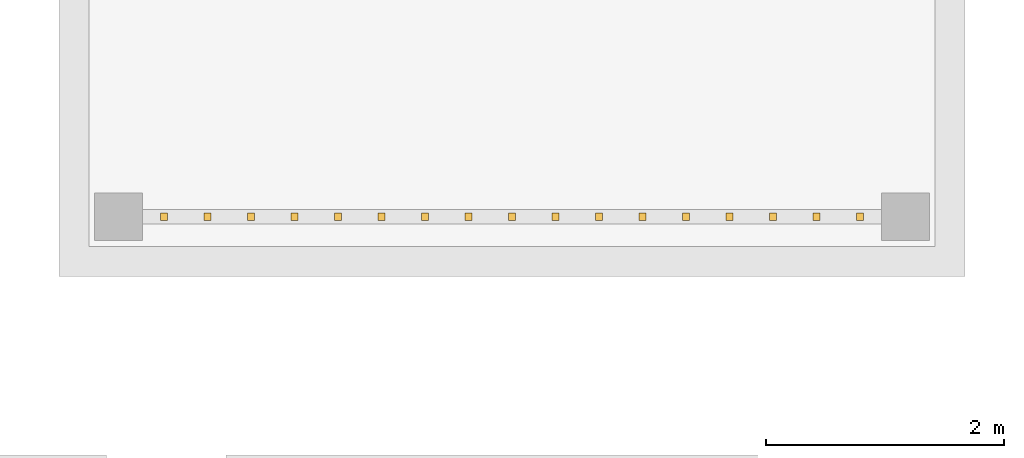
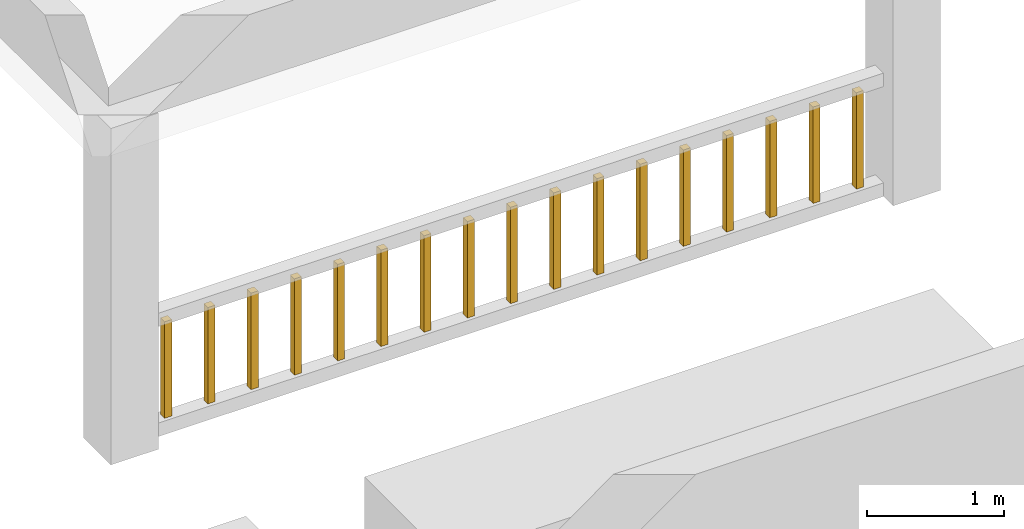
# One storey, part 13 of 14: 17 shading devices.
"""IFC4 building model written with IfcOpenShell, lengths in metres."""

from ifc_helpers import new_model, si_unit, direction, frame, origin, origin_2d, place, context, subcontext, project, spatial, rectangle, extrude, material, type_object, element, save


model = new_model("IFC4")

# Units and contexts
model_context = context("Model", 3, precision=1e-05, world=origin(), true_north=direction((0.0, 1.0)))
body_context = subcontext(model_context, "Body", "Model", "MODEL_VIEW")
ifc_project = project(units=[si_unit("LENGTHUNIT", "METRE"), si_unit("AREAUNIT", "SQUARE_METRE"), si_unit("VOLUMEUNIT", "CUBIC_METRE"), si_unit("PLANEANGLEUNIT", "RADIAN"), si_unit("MASSUNIT", "GRAM", prefix="KILO")], contexts=[model_context])

# Site, building, storey
site_placement = place(None, origin())
site = spatial("IfcSite", under=ifc_project, at=site_placement, CompositionType="ELEMENT")
building_placement = place(site_placement, origin())
building = spatial("IfcBuilding", under=site, at=building_placement, Name="Kiln Ring Residences", CompositionType="ELEMENT")
storey_placement = place(building_placement, frame((0.0, 0.0, 299.89990234375)))
storey = spatial("IfcBuildingStorey", under=building, at=storey_placement, Name="L77 Crown", CompositionType="ELEMENT", Elevation=299.89990234375)

# Shading devices
ifc_material = material(Name="Brick masonry, dark clay brick", Category="masonry")
shading_device_type = type_object("IfcShadingDeviceType", Name="JAALI SLAT 60", PredefinedType="USERDEFINED", material=ifc_material)
for number, where, z_axis, x_axis, name in (
    (1, (-2.917724609375, -15.800048828125, 0.1201171875), (0.0, 0.0, 1.0), (1.0, 0.0, 0.0), "JAALI SLAT L77 Crown"),
    (2, (-2.552978515625, -15.800048828125, 0.1201171875), (0.0, 0.0, 1.0), (1.0, 0.0, 0.0), "JAALI SLAT L77 Crown"),
    (3, (-2.188232421875, -15.800048828125, 0.1201171875), (0.0, 0.0, 1.0), (1.0, 0.0, 0.0), "JAALI SLAT L77 Crown"),
    (4, (-1.823486328125, -15.800048828125, 0.1201171875), (0.0, 0.0, 1.0), (1.0, 0.0, 0.0), "JAALI SLAT L77 Crown"),
    (5, (-1.458740234375, -15.800048828125, 0.1201171875), (0.0, 0.0, 1.0), (1.0, 0.0, 0.0), "JAALI SLAT L77 Crown"),
    (6, (-1.09423828125, -15.800048828125, 0.1201171875), (0.0, 0.0, 1.0), (1.0, 0.0, 0.0), "JAALI SLAT L77 Crown"),
    (7, (-0.7294921875, -15.800048828125, 0.1201171875), (0.0, 0.0, 1.0), (1.0, 0.0, 0.0), "JAALI SLAT L77 Crown"),
    (8, (-0.36474609375, -15.800048828125, 0.1201171875), (0.0, 0.0, 1.0), (1.0, 0.0, 0.0), "JAALI SLAT L77 Crown"),
    (9, (0.0, -15.800048828125, 0.1201171875), (0.0, 0.0, 1.0), (1.0, 0.0, 0.0), "JAALI SLAT L77 Crown"),
    (10, (0.36474609375, -15.800048828125, 0.1201171875), (0.0, 0.0, 1.0), (1.0, 0.0, 0.0), "JAALI SLAT L77 Crown"),
    (11, (0.7294921875, -15.800048828125, 0.1201171875), (0.0, 0.0, 1.0), (1.0, 0.0, 0.0), "JAALI SLAT L77 Crown"),
    (12, (1.09423828125, -15.800048828125, 0.1201171875), (0.0, 0.0, 1.0), (1.0, 0.0, 0.0), "JAALI SLAT L77 Crown"),
    (13, (1.458740234375, -15.800048828125, 0.1201171875), (0.0, 0.0, 1.0), (1.0, 0.0, 0.0), "JAALI SLAT L77 Crown"),
    (14, (1.823486328125, -15.800048828125, 0.1201171875), (0.0, 0.0, 1.0), (1.0, 0.0, 0.0), "JAALI SLAT L77 Crown"),
    (15, (2.188232421875, -15.800048828125, 0.1201171875), (0.0, 0.0, 1.0), (1.0, 0.0, 0.0), "JAALI SLAT L77 Crown"),
    (16, (2.552978515625, -15.800048828125, 0.1201171875), (0.0, 0.0, 1.0), (1.0, 0.0, 0.0), "JAALI SLAT L77 Crown"),
    (17, (2.917724609375, -15.800048828125, 0.1201171875), (0.0, 0.0, 1.0), (1.0, 0.0, 0.0), "JAALI SLAT L77 Crown"),
):
    element("IfcShadingDevice", number, at=place(storey_placement, frame(where, z_axis=z_axis, x_axis=x_axis)), inside=storey, type_object=shading_device_type, Name=name, ObjectType="JAALI SCREEN", PredefinedType="USERDEFINED", context=body_context, shape_type="SweptSolid", body=[
        extrude(rectangle(XDim=0.06005859375, YDim=0.06005859375, at=origin_2d()), origin(), (0.0, 0.0, 1.0), 0.860107421875),
    ])

save(model, "model.ifc")
